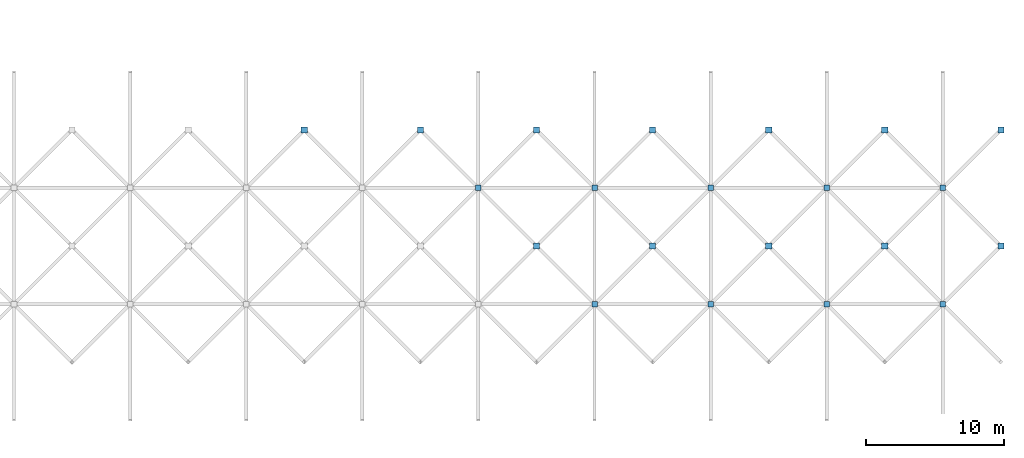
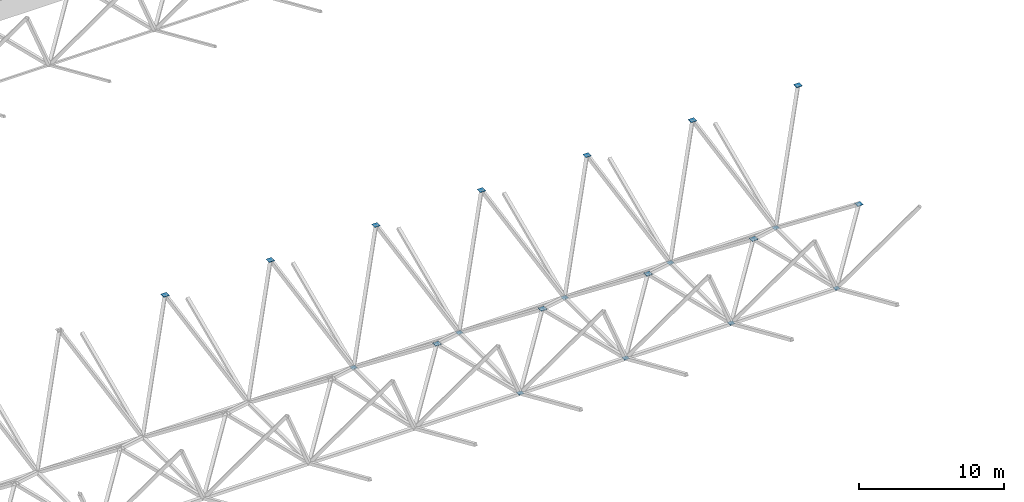
# One storey, part 67 of 85: 21 discrete accessories.
"""IFC4 building model written with IfcOpenShell, lengths in metres."""

from ifc_helpers import new_model, si_unit, direction, frame, origin, origin_2d, place, context, subcontext, project, spatial, rectangle, extrude, material, layer, layer_set, type_object, element, save


model = new_model("IFC4")

# Units and contexts
model_context = context("Model", 3, precision=1e-05, world=origin(), true_north=direction((0.0, 1.0)))
body_context = subcontext(model_context, "Body", "Model", "MODEL_VIEW")
ifc_project = project(units=[si_unit("LENGTHUNIT", "METRE"), si_unit("AREAUNIT", "SQUARE_METRE"), si_unit("VOLUMEUNIT", "CUBIC_METRE"), si_unit("PLANEANGLEUNIT", "RADIAN"), si_unit("MASSUNIT", "GRAM", prefix="KILO")], contexts=[model_context])

# Site, building, storey
site_placement = place(None, origin())
site = spatial("IfcSite", under=ifc_project, at=site_placement, CompositionType="ELEMENT")
building_placement = place(site_placement, origin())
building = spatial("IfcBuilding", under=site, at=building_placement, Name="Rain Tree Exposition and Congress Centre", CompositionType="ELEMENT")
storey_placement = place(building_placement, frame((0.0, 0.0, 15.0)))
storey = spatial("IfcBuildingStorey", under=building, at=storey_placement, Name="L03", CompositionType="ELEMENT", Elevation=15.0)

# Discrete accessories
ifc_material_1 = material(Name="Steel plate S355J2", Category="steel")
ifc_layer_1 = layer(ifc_material_1, 0.02001953125)
ifc_layer_set_1 = layer_set([ifc_layer_1], Name="Steel plate S355J2")
discrete_accessory_type_1 = type_object("IfcDiscreteAccessoryType", Name="Brace node plate 400x400x20", PredefinedType="BRACKET", material=ifc_layer_set_1)
for number, where, z_axis, x_axis, name in (
    (1, (214.199951171875, 147.0, 1.762939453125), (0.0, 0.0, 1.0), (1.0, 0.0, 0.0), "Brace node plate 400"),
    (2, (222.60009765625, 147.0, 1.762939453125), (0.0, 0.0, 1.0), (1.0, 0.0, 0.0), "Brace node plate 400"),
    (3, (231.0, 147.0, 1.762939453125), (0.0, 0.0, 1.0), (1.0, 0.0, 0.0), "Brace node plate 400"),
    (4, (239.39990234375, 147.0, 1.762939453125), (0.0, 0.0, 1.0), (1.0, 0.0, 0.0), "Brace node plate 400"),
    (5, (205.800048828125, 155.39990234375, 1.762939453125), (0.0, 0.0, 1.0), (1.0, 0.0, 0.0), "Brace node plate 400"),
    (6, (214.199951171875, 155.39990234375, 1.762939453125), (0.0, 0.0, 1.0), (1.0, 0.0, 0.0), "Brace node plate 400"),
    (7, (222.60009765625, 155.39990234375, 1.762939453125), (0.0, 0.0, 1.0), (1.0, 0.0, 0.0), "Brace node plate 400"),
    (8, (231.0, 155.39990234375, 1.762939453125), (0.0, 0.0, 1.0), (1.0, 0.0, 0.0), "Brace node plate 400"),
    (9, (239.39990234375, 155.39990234375, 1.762939453125), (0.0, 0.0, 1.0), (1.0, 0.0, 0.0), "Brace node plate 400"),
):
    element("IfcDiscreteAccessory", number, at=place(storey_placement, frame(where, z_axis=z_axis, x_axis=x_axis)), inside=storey, type_object=discrete_accessory_type_1, Name=name, PredefinedType="BRACKET", context=body_context, shape_type="SweptSolid", body=[
        extrude(rectangle(XDim=0.39990234375, YDim=0.39990234375, at=origin_2d()), origin(), (0.0, 0.0, 1.0), 0.02001953125),
    ])
ifc_material_2 = material(Name="Steel plate S355J2", Category="steel")
ifc_layer_2 = layer(ifc_material_2, 0.02001953125)
ifc_layer_set_2 = layer_set([ifc_layer_2], Name="Steel plate S355J2")
discrete_accessory_type_2 = type_object("IfcDiscreteAccessoryType", Name="Brace node plate 450x450x20", PredefinedType="BRACKET", material=ifc_layer_set_2)
for number, where, z_axis, x_axis, name in (
    (10, (210.0, 151.199951171875, 4.840087890625), (0.0, 0.0, 1.0), (1.0, 0.0, 0.0), "Brace node plate 450"),
    (11, (218.39990234375, 151.199951171875, 4.840087890625), (0.0, 0.0, 1.0), (1.0, 0.0, 0.0), "Brace node plate 450"),
    (12, (226.800048828125, 151.199951171875, 4.840087890625), (0.0, 0.0, 1.0), (1.0, 0.0, 0.0), "Brace node plate 450"),
    (13, (235.199951171875, 151.199951171875, 4.840087890625), (0.0, 0.0, 1.0), (1.0, 0.0, 0.0), "Brace node plate 450"),
    (14, (243.60009765625, 151.199951171875, 4.840087890625), (0.0, 0.0, 1.0), (1.0, 0.0, 0.0), "Brace node plate 450"),
    (15, (193.199951171875, 159.60009765625, 9.73388671875), (0.0, 0.0, 1.0), (1.0, 0.0, 0.0), "Brace node plate 450"),
    (16, (201.60009765625, 159.60009765625, 9.73388671875), (0.0, 0.0, 1.0), (1.0, 0.0, 0.0), "Brace node plate 450"),
    (17, (210.0, 159.60009765625, 9.73388671875), (0.0, 0.0, 1.0), (1.0, 0.0, 0.0), "Brace node plate 450"),
    (18, (218.39990234375, 159.60009765625, 9.73388671875), (0.0, 0.0, 1.0), (1.0, 0.0, 0.0), "Brace node plate 450"),
    (19, (226.800048828125, 159.60009765625, 9.73388671875), (0.0, 0.0, 1.0), (1.0, 0.0, 0.0), "Brace node plate 450"),
    (20, (235.199951171875, 159.60009765625, 9.73388671875), (0.0, 0.0, 1.0), (1.0, 0.0, 0.0), "Brace node plate 450"),
    (21, (243.60009765625, 159.60009765625, 9.73388671875), (0.0, 0.0, 1.0), (1.0, 0.0, 0.0), "Brace node plate 450"),
):
    element("IfcDiscreteAccessory", number, at=place(storey_placement, frame(where, z_axis=z_axis, x_axis=x_axis)), inside=storey, type_object=discrete_accessory_type_2, Name=name, PredefinedType="BRACKET", context=body_context, shape_type="SweptSolid", body=[
        extrude(rectangle(XDim=0.449951171875, YDim=0.449951171875, at=origin_2d()), origin(), (0.0, 0.0, 1.0), 0.02001953125),
    ])

save(model, "model.ifc")
